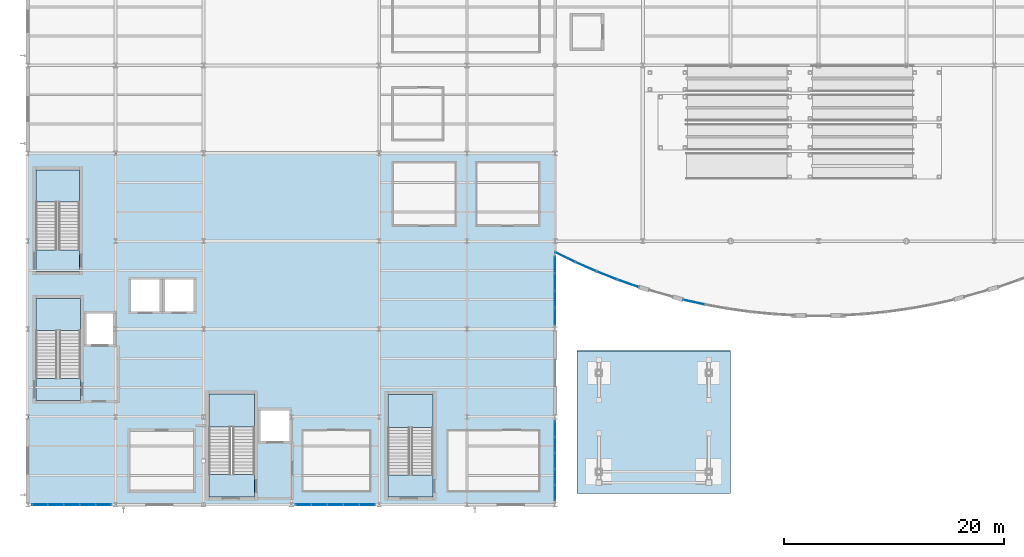
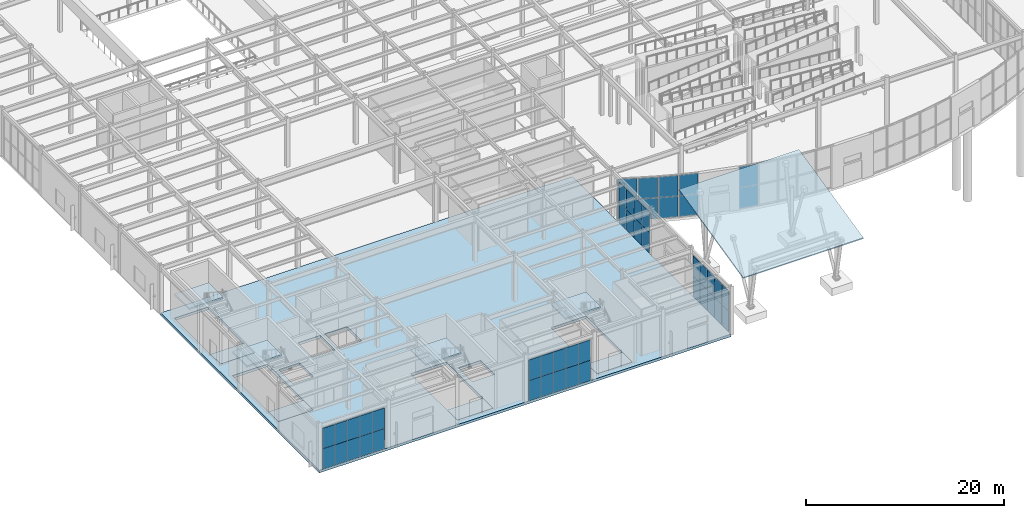
# One storey, part 49 of 82: 48 plates, 10 slabs, 13 elements without a shape of their own.
"""IFC4 building model written with IfcOpenShell, lengths in metres."""

import ifcopenshell
import ifcopenshell.guid

model = None  # the IFC model being written
_history = None  # IfcOwnerHistory: only IFC2X3 demands one
_inside = {}  # id of a spatial element -> (the spatial element, [elements in it])
_under = {}  # id of a project, library or spatial element -> (it, [spatial elements below it])
_declared = {}  # id of a project -> (the project, [libraries it declares])
_typed = {}  # id of a type object -> (the type object, [elements of that type])
_made_of = {}  # id of a material, layer set ... -> (it, [elements and type objects made of it])


def new_model(schema):
    """Start an empty IFC model of exactly this schema.

    Asked for "IFC4X3", IfcOpenShell would pick the latest addendum, in which some entities
    have other attributes; the version numbers below select the first issue.
    IFC2X3 requires an IfcOwnerHistory on every rooted entity: one is made here for all.
    """
    global model, _history
    if schema == "IFC4X3":
        model = ifcopenshell.file(schema_version=(4, 3, 0, 0))
    else:
        model = ifcopenshell.file(schema=schema)
    _inside.clear()
    _under.clear()
    _declared.clear()
    _typed.clear()
    _made_of.clear()
    _history = None
    if model.schema == "IFC2X3":
        org = make("IfcOrganization", Name="unknown")
        user = make(
            "IfcPersonAndOrganization",
            ThePerson=make("IfcPerson", FamilyName="unknown"),
            TheOrganization=org,
        )
        app = make(
            "IfcApplication",
            ApplicationDeveloper=org,
            Version="unknown",
            ApplicationFullName="unknown",
            ApplicationIdentifier="unknown",
        )
        _history = make(
            "IfcOwnerHistory",
            OwningUser=user,
            OwningApplication=app,
            ChangeAction="ADDED",
            CreationDate=0,
        )
    return model


def make(cls, **values):
    """One entity of the class cls with the attributes given. An attribute that is None is left unset."""
    return model.create_entity(
        cls, **{name: value for name, value in values.items() if value is not None}
    )


def rooted(cls, **values):
    """An entity with a GlobalId (a new one), such as an element, a storey or a relation."""
    return make(cls, GlobalId=ifcopenshell.guid.new(), OwnerHistory=_history, **values)


def si_unit(unit_type, name, prefix=None):
    """IfcSIUnit, for example si_unit("LENGTHUNIT", "METRE", prefix="MILLI")."""
    return make("IfcSIUnit", UnitType=unit_type, Prefix=prefix, Name=name)


def assignment(units):
    """IfcUnitAssignment: the units of a project."""
    return None if units is None else make("IfcUnitAssignment", Units=units)


def point(xyz):
    """IfcCartesianPoint."""
    return None if xyz is None else make("IfcCartesianPoint", Coordinates=xyz)


def direction(xyz):
    """IfcDirection."""
    return None if xyz is None else make("IfcDirection", DirectionRatios=xyz)


def frame(location, z_axis=None, x_axis=None):
    """IfcAxis2Placement3D, a coordinate frame: its origin and axes. An axis left out is left unset."""
    return make(
        "IfcAxis2Placement3D",
        Location=point(location),
        Axis=direction(z_axis),
        RefDirection=direction(x_axis),
    )


def frame_2d(location, x_axis=None):
    """IfcAxis2Placement2D, a coordinate frame in the plane: its origin and x axis."""
    return make(
        "IfcAxis2Placement2D", Location=point(location), RefDirection=direction(x_axis)
    )


def origin():
    """The frame at (0, 0, 0) with its axes left unset."""
    return frame((0.0, 0.0, 0.0))


def origin_2d():
    """The frame at (0, 0) in the plane with its x axis left unset."""
    return frame_2d((0.0, 0.0))


def place(relative_to, where):
    """IfcLocalPlacement: puts the frame where relative to a parent placement (None: the world)."""
    return make(
        "IfcLocalPlacement", PlacementRelTo=relative_to, RelativePlacement=where
    )


def context(
    kind, dimensions, precision=None, world=None, true_north=None, identifier=None
):
    """IfcGeometricRepresentationContext, for example the 3D "Model" context."""
    return make(
        "IfcGeometricRepresentationContext",
        ContextIdentifier=identifier,
        ContextType=kind,
        CoordinateSpaceDimension=dimensions,
        Precision=precision,
        WorldCoordinateSystem=world,
        TrueNorth=true_north,
    )


def subcontext(parent, identifier, kind, view, scale=None):
    """IfcGeometricRepresentationSubContext, for example "Body" below "Model"."""
    return make(
        "IfcGeometricRepresentationSubContext",
        ContextIdentifier=identifier,
        ContextType=kind,
        ParentContext=parent,
        TargetScale=scale,
        TargetView=view,
    )


def project(units=None, contexts=None):
    """IfcProject with its units and contexts."""
    return rooted(
        "IfcProject",
        Name="project",
        RepresentationContexts=contexts,
        UnitsInContext=assignment(units),
    )


def spatial(cls, under=None, at=None, **own):
    """A site, building, storey or space (cls), placed at a placement, below another one or the project."""
    s = rooted(cls, ObjectPlacement=at, **own)
    if under is not None:
        _under.setdefault(under.id(), (under, []))[1].append(s)
    return s


def polyline(points):
    """IfcPolyline through the points."""
    return make("IfcPolyline", Points=[point(p) for p in points])


def profile(cls, at=None, kind="AREA", **sizes):
    """A parametric profile (cls). Its sizes go by their IFC names, for example OverallWidth=200.0."""
    return make(cls, ProfileType=kind, Position=at, **sizes)


def rectangle(**sizes):
    """IfcRectangleProfileDef."""
    return profile("IfcRectangleProfileDef", **sizes)


def outline(outer, holes=None, kind="AREA"):
    """IfcArbitraryClosedProfileDef: a profile drawn as a closed curve; with holes, ...WithVoids."""
    if holes is None:
        return make("IfcArbitraryClosedProfileDef", ProfileType=kind, OuterCurve=outer)
    return make(
        "IfcArbitraryProfileDefWithVoids",
        ProfileType=kind,
        OuterCurve=outer,
        InnerCurves=holes,
    )


def extrude(swept, where, along, depth):
    """IfcExtrudedAreaSolid: the profile swept, set in the frame where, extruded along a direction by depth."""
    return make(
        "IfcExtrudedAreaSolid",
        SweptArea=swept,
        Position=where,
        ExtrudedDirection=direction(along),
        Depth=depth,
    )


def shape(context_of_items, identifier, shape_type, items):
    """IfcShapeRepresentation: the items that make up one representation, for example the "Body"."""
    return make(
        "IfcShapeRepresentation",
        ContextOfItems=context_of_items,
        RepresentationIdentifier=identifier,
        RepresentationType=shape_type,
        Items=items,
    )


def material(Name=None, Category=None):
    """IfcMaterial."""
    return make("IfcMaterial", Name=Name, Category=Category)


def layer(
    of_material, thickness, ventilated=None, Name=None, Category=None, Priority=None
):
    """IfcMaterialLayer: one layer of a wall or slab, of a material (None: an air gap)."""
    return make(
        "IfcMaterialLayer",
        Material=of_material,
        LayerThickness=thickness,
        IsVentilated=ventilated,
        Name=Name,
        Category=Category,
        Priority=Priority,
    )


def layer_set(layers, Name=None):
    """IfcMaterialLayerSet."""
    return make("IfcMaterialLayerSet", MaterialLayers=layers, LayerSetName=Name)


def made_of(thing, what):
    """Note that an element or type object is made of a material, layer set ...; save() writes the relation."""
    if what is not None:
        _made_of.setdefault(what.id(), (what, []))[1].append(thing)
    return thing


def type_object(cls, material=None, **own):
    """A type object (cls), such as IfcWallType, which elements share."""
    return made_of(rooted(cls, **own), material)


def element(
    cls,
    number,
    at=None,
    inside=None,
    cuts=None,
    type_object=None,
    material=None,
    context=None,
    identifier="Body",
    shape_type=None,
    held_by="IfcProductDefinitionShape",
    body=None,
    shapes=None,
    **own,
):
    """One element of the class cls, such as IfcWall. Its Tag is "e" and its number.

    at: its placement. inside: the storey or other place that contains it. cuts: it is an
    opening in that element (IfcRelVoidsElement). A single representation is given by context,
    identifier, shape_type and body (its items); several are given by shapes. held_by: the class
    of the entity that holds the representations. save() writes the other relations.
    """
    e = rooted(cls, Tag="e%d" % number, ObjectPlacement=at, **own)
    if body is not None:
        shapes = [shape(context, identifier, shape_type, body)]
    if shapes is not None:
        e.Representation = make(held_by, Representations=shapes)
    if inside is not None:
        _inside.setdefault(inside.id(), (inside, []))[1].append(e)
    if cuts is not None:
        rooted(
            "IfcRelVoidsElement", RelatingBuildingElement=cuts, RelatedOpeningElement=e
        )
    if type_object is not None:
        _typed.setdefault(type_object.id(), (type_object, []))[1].append(e)
    return made_of(e, material)


def aggregate(whole, parts):
    """IfcRelAggregates: a whole, such as a stair, and the parts it consists of."""
    return rooted("IfcRelAggregates", RelatingObject=whole, RelatedObjects=parts)


def save(model, path):
    """Write the relations noted so far, then the file.

    IfcRelAggregates (storeys below a building ...), IfcRelContainedInSpatialStructure (elements
    in a storey), IfcRelDefinesByType, IfcRelAssociatesMaterial and IfcRelDeclares: one each for
    every whole, place, type object, material and project.
    """
    for whole, parts in _under.values():
        aggregate(whole, parts)
    for where, things in _inside.values():
        rooted(
            "IfcRelContainedInSpatialStructure",
            RelatedElements=things,
            RelatingStructure=where,
        )
    for kind, things in _typed.values():
        rooted("IfcRelDefinesByType", RelatedObjects=things, RelatingType=kind)
    for what, things in _made_of.values():
        rooted("IfcRelAssociatesMaterial", RelatedObjects=things, RelatingMaterial=what)
    for by, libraries in _declared.values():
        rooted("IfcRelDeclares", RelatingContext=by, RelatedDefinitions=libraries)
    model.write(path)


model = new_model("IFC4")

# Units and contexts
model_context = context("Model", 3, precision=1e-05, world=origin(), true_north=direction((0.0, 1.0)))
body_context = subcontext(model_context, "Body", "Model", "MODEL_VIEW")
ifc_project = project(units=[si_unit("LENGTHUNIT", "METRE"), si_unit("AREAUNIT", "SQUARE_METRE"), si_unit("VOLUMEUNIT", "CUBIC_METRE"), si_unit("PLANEANGLEUNIT", "RADIAN"), si_unit("MASSUNIT", "GRAM", prefix="KILO")], contexts=[model_context])

# Site, building, storey
site_placement = place(None, origin())
site = spatial("IfcSite", under=ifc_project, at=site_placement, CompositionType="ELEMENT")
building_placement = place(site_placement, origin())
building = spatial("IfcBuilding", under=site, at=building_placement, Name="Drelvath Fold Interchange", CompositionType="ELEMENT")
storey_placement = place(building_placement, origin())
storey = spatial("IfcBuildingStorey", under=building, at=storey_placement, Name="L00", CompositionType="ELEMENT", Elevation=0.0)

# Curtain wall, plates
ifc_material_1 = material(Name="Anodized Aluminium 6063-T6", Category="aluminium")
curtain_wall_type_1 = type_object("IfcCurtainWallType", Name="CW-ARC-L00", PredefinedType="USERDEFINED", material=ifc_material_1)
curtain_wall_1_placement = place(storey_placement, origin())
curtain_wall_1 = element("IfcCurtainWall", 1, at=curtain_wall_1_placement, inside=storey, type_object=curtain_wall_type_1, Name="Curtain wall CW-WH-L00-00", ObjectType="UNITISED CURTAIN WALL", PredefinedType="USERDEFINED")
ifc_material_2 = material(Name="Low-Iron Insulated Laminated Glass", Category="glass")
ifc_layer_1 = layer(ifc_material_2, 0.035888671875, Name="Low-Iron Insulated Laminated Glass")
ifc_layer_set_1 = layer_set([ifc_layer_1], Name="Low-Iron Insulated Laminated Glass")
plate_type_1 = type_object("IfcPlateType", Name="CP-ARC-A", PredefinedType="CURTAIN_PANEL", material=ifc_layer_set_1)
plate_1_placement = place(storey_placement, frame((52.93310546875, 25.5439453125, 0.0400390625), z_axis=(0.0, 0.0, 1.0), x_axis=(0.898242463355, -0.439500258277, 0.0)))
plate_1 = element("IfcPlate", 2, at=plate_1_placement, type_object=plate_type_1, Name="CW-WH-L00-00 glazed panel 0-0", PredefinedType="CURTAIN_PANEL", context=body_context, shape_type="SweptSolid", body=[
    extrude(rectangle(XDim=1.97705078125, YDim=0.035888671875, at=origin_2d()), origin(), (0.0, 0.0, 1.0), 2.550048828125),
])
plate_2_placement = place(storey_placement, frame((52.93310546875, 25.5439453125, 2.60986328125), z_axis=(0.0, 0.0, 1.0), x_axis=(0.898242463355, -0.439500258277, 0.0)))
plate_2 = element("IfcPlate", 3, at=plate_2_placement, type_object=plate_type_1, Name="CW-WH-L00-00 glazed panel 0-1", PredefinedType="CURTAIN_PANEL", context=body_context, shape_type="SweptSolid", body=[
    extrude(rectangle(XDim=1.97705078125, YDim=0.035888671875, at=origin_2d()), origin(), (0.0, 0.0, 1.0), 2.550048828125),
])
aggregate(curtain_wall_1, [plate_1, plate_2])

curtain_wall_2_placement = place(storey_placement, origin())
curtain_wall_2 = element("IfcCurtainWall", 4, at=curtain_wall_2_placement, inside=storey, type_object=curtain_wall_type_1, Name="Curtain wall CW-WH-L00-01", ObjectType="UNITISED CURTAIN WALL", PredefinedType="USERDEFINED")
plate_3_placement = place(storey_placement, frame((54.81591796875, 24.66796875, 0.0400390625), z_axis=(0.0, 0.0, 1.0), x_axis=(0.91495966785, -0.403545296352, 0.0)))
plate_3 = element("IfcPlate", 5, at=plate_3_placement, type_object=plate_type_1, Name="CW-WH-L00-01 glazed panel 0-0", PredefinedType="CURTAIN_PANEL", context=body_context, shape_type="SweptSolid", body=[
    extrude(rectangle(XDim=1.97705078125, YDim=0.035888671875, at=origin_2d()), origin(), (0.0, 0.0, 1.0), 2.550048828125),
])
plate_4_placement = place(storey_placement, frame((54.81591796875, 24.66796875, 2.60986328125), z_axis=(0.0, 0.0, 1.0), x_axis=(0.91495966785, -0.403545296352, 0.0)))
plate_4 = element("IfcPlate", 6, at=plate_4_placement, type_object=plate_type_1, Name="CW-WH-L00-01 glazed panel 0-1", PredefinedType="CURTAIN_PANEL", context=body_context, shape_type="SweptSolid", body=[
    extrude(rectangle(XDim=1.97705078125, YDim=0.035888671875, at=origin_2d()), origin(), (0.0, 0.0, 1.0), 2.550048828125),
])
aggregate(curtain_wall_2, [plate_3, plate_4])

curtain_wall_3_placement = place(storey_placement, origin())
curtain_wall_3 = element("IfcCurtainWall", 7, at=curtain_wall_3_placement, inside=storey, type_object=curtain_wall_type_1, Name="Curtain wall CW-WH-L00-02", ObjectType="UNITISED CURTAIN WALL", PredefinedType="USERDEFINED")
plate_5_placement = place(storey_placement, frame((56.73193359375, 23.866943359375, 0.0400390625), z_axis=(0.0, 0.0, 1.0), x_axis=(0.93009738109, -0.367313029567, 0.0)))
plate_5 = element("IfcPlate", 8, at=plate_5_placement, type_object=plate_type_1, Name="CW-WH-L00-02 glazed panel 0-0", PredefinedType="CURTAIN_PANEL", context=body_context, shape_type="SweptSolid", body=[
    extrude(rectangle(XDim=1.97705078125, YDim=0.035888671875, at=origin_2d()), origin(), (0.0, 0.0, 1.0), 2.550048828125),
])
plate_6_placement = place(storey_placement, frame((56.73193359375, 23.866943359375, 2.60986328125), z_axis=(0.0, 0.0, 1.0), x_axis=(0.93009738109, -0.367313029567, 0.0)))
plate_6 = element("IfcPlate", 9, at=plate_6_placement, type_object=plate_type_1, Name="CW-WH-L00-02 glazed panel 0-1", PredefinedType="CURTAIN_PANEL", context=body_context, shape_type="SweptSolid", body=[
    extrude(rectangle(XDim=1.97705078125, YDim=0.035888671875, at=origin_2d()), origin(), (0.0, 0.0, 1.0), 2.550048828125),
])
aggregate(curtain_wall_3, [plate_5, plate_6])

curtain_wall_4_placement = place(storey_placement, origin())
curtain_wall_4 = element("IfcCurtainWall", 10, at=curtain_wall_4_placement, inside=storey, type_object=curtain_wall_type_1, Name="Curtain wall CW-WH-L00-03", ObjectType="UNITISED CURTAIN WALL", PredefinedType="USERDEFINED")
plate_7_placement = place(storey_placement, frame((58.677978515625, 23.14306640625, 0.0400390625), z_axis=(0.0, 0.0, 1.0), x_axis=(0.944060245862, -0.329773031317, 0.0)))
plate_7 = element("IfcPlate", 11, at=plate_7_placement, type_object=plate_type_1, Name="CW-WH-L00-03 glazed panel 0-0", PredefinedType="CURTAIN_PANEL", context=body_context, shape_type="SweptSolid", body=[
    extrude(rectangle(XDim=1.97705078125, YDim=0.035888671875, at=origin_2d()), origin(), (0.0, 0.0, 1.0), 2.550048828125),
])
plate_8_placement = place(storey_placement, frame((58.677978515625, 23.14306640625, 2.60986328125), z_axis=(0.0, 0.0, 1.0), x_axis=(0.944060245862, -0.329773031317, 0.0)))
plate_8 = element("IfcPlate", 12, at=plate_8_placement, type_object=plate_type_1, Name="CW-WH-L00-03 glazed panel 0-1", PredefinedType="CURTAIN_PANEL", context=body_context, shape_type="SweptSolid", body=[
    extrude(rectangle(XDim=1.97705078125, YDim=0.035888671875, at=origin_2d()), origin(), (0.0, 0.0, 1.0), 2.550048828125),
])
aggregate(curtain_wall_4, [plate_7, plate_8])

curtain_wall_5_placement = place(storey_placement, origin())
curtain_wall_5 = element("IfcCurtainWall", 13, at=curtain_wall_5_placement, inside=storey, type_object=curtain_wall_type_1, Name="Curtain wall CW-WH-L00-06", ObjectType="UNITISED CURTAIN WALL", PredefinedType="USERDEFINED")
plate_9_placement = place(storey_placement, frame((64.66796875, 21.44091796875, 0.0400390625), z_axis=(0.0, 0.0, 1.0), x_axis=(0.976458168269, -0.215706851122, 0.0)))
plate_9 = element("IfcPlate", 14, at=plate_9_placement, type_object=plate_type_1, Name="CW-WH-L00-06 glazed panel 0-0", PredefinedType="CURTAIN_PANEL", context=body_context, shape_type="SweptSolid", body=[
    extrude(rectangle(XDim=1.97705078125, YDim=0.035888671875, at=origin_2d()), origin(), (0.0, 0.0, 1.0), 2.550048828125),
])
plate_10_placement = place(storey_placement, frame((64.66796875, 21.44091796875, 2.60986328125), z_axis=(0.0, 0.0, 1.0), x_axis=(0.976458168269, -0.215706851122, 0.0)))
plate_10 = element("IfcPlate", 15, at=plate_10_placement, type_object=plate_type_1, Name="CW-WH-L00-06 glazed panel 0-1", PredefinedType="CURTAIN_PANEL", context=body_context, shape_type="SweptSolid", body=[
    extrude(rectangle(XDim=1.97705078125, YDim=0.035888671875, at=origin_2d()), origin(), (0.0, 0.0, 1.0), 2.550048828125),
])
aggregate(curtain_wall_5, [plate_9, plate_10])

curtain_wall_type_2 = type_object("IfcCurtainWallType", Name="CW-OPS-L00", PredefinedType="USERDEFINED", material=ifc_material_1)
curtain_wall_6_placement = place(storey_placement, origin())
curtain_wall_6 = element("IfcCurtainWall", 16, at=curtain_wall_6_placement, inside=storey, type_object=curtain_wall_type_2, Name="Curtain wall CW-V5-L00-S4", ObjectType="UNITISED CURTAIN WALL", PredefinedType="USERDEFINED")
ifc_layer_2 = layer(ifc_material_2, 0.068115234375, Name="Low-Iron Insulated Laminated Glass")
ifc_layer_set_2 = layer_set([ifc_layer_2], Name="Low-Iron Insulated Laminated Glass")
plate_type_2 = type_object("IfcPlateType", Name="CP-OPS-A", PredefinedType="CURTAIN_PANEL", material=ifc_layer_set_2)
plate_11_placement = place(storey_placement, frame((5.10791015625, 3.0, 0.0400390625), z_axis=(0.0, 0.0, 1.0), x_axis=(1.0, 0.0, 0.0)))
plate_11 = element("IfcPlate", 17, at=plate_11_placement, type_object=plate_type_2, Name="CW-V5-L00-S4 glazed panel 0-0", PredefinedType="CURTAIN_PANEL", context=body_context, shape_type="SweptSolid", body=[
    extrude(rectangle(XDim=1.39599609375, YDim=0.068115234375, at=origin_2d()), origin(), (0.0, 0.0, 1.0), 2.5),
])
plate_12_placement = place(storey_placement, frame((5.10791015625, 3.0, 2.56005859375), z_axis=(0.0, 0.0, 1.0), x_axis=(1.0, 0.0, 0.0)))
plate_12 = element("IfcPlate", 18, at=plate_12_placement, type_object=plate_type_2, Name="CW-V5-L00-S4 glazed panel 0-1", PredefinedType="CURTAIN_PANEL", context=body_context, shape_type="SweptSolid", body=[
    extrude(rectangle(XDim=1.39599609375, YDim=0.068115234375, at=origin_2d()), origin(), (0.0, 0.0, 1.0), 2.5),
])
plate_13_placement = place(storey_placement, frame((6.5439453125, 3.0, 0.0400390625), z_axis=(0.0, 0.0, 1.0), x_axis=(1.0, 0.0, 0.0)))
plate_13 = element("IfcPlate", 19, at=plate_13_placement, type_object=plate_type_2, Name="CW-V5-L00-S4 glazed panel 1-0", PredefinedType="CURTAIN_PANEL", context=body_context, shape_type="SweptSolid", body=[
    extrude(rectangle(XDim=1.43603515625, YDim=0.068115234375, at=origin_2d()), origin(), (0.0, 0.0, 1.0), 2.5),
])
plate_14_placement = place(storey_placement, frame((6.5439453125, 3.0, 2.56005859375), z_axis=(0.0, 0.0, 1.0), x_axis=(1.0, 0.0, 0.0)))
plate_14 = element("IfcPlate", 20, at=plate_14_placement, type_object=plate_type_2, Name="CW-V5-L00-S4 glazed panel 1-1", PredefinedType="CURTAIN_PANEL", context=body_context, shape_type="SweptSolid", body=[
    extrude(rectangle(XDim=1.43603515625, YDim=0.068115234375, at=origin_2d()), origin(), (0.0, 0.0, 1.0), 2.5),
])
plate_15_placement = place(storey_placement, frame((8.0, 3.0, 0.0400390625), z_axis=(0.0, 0.0, 1.0), x_axis=(1.0, 0.0, 0.0)))
plate_15 = element("IfcPlate", 21, at=plate_15_placement, type_object=plate_type_2, Name="CW-V5-L00-S4 glazed panel 2-0", PredefinedType="CURTAIN_PANEL", context=body_context, shape_type="SweptSolid", body=[
    extrude(rectangle(XDim=1.43603515625, YDim=0.068115234375, at=origin_2d()), origin(), (0.0, 0.0, 1.0), 2.5),
])
plate_16_placement = place(storey_placement, frame((8.0, 3.0, 2.56005859375), z_axis=(0.0, 0.0, 1.0), x_axis=(1.0, 0.0, 0.0)))
plate_16 = element("IfcPlate", 22, at=plate_16_placement, type_object=plate_type_2, Name="CW-V5-L00-S4 glazed panel 2-1", PredefinedType="CURTAIN_PANEL", context=body_context, shape_type="SweptSolid", body=[
    extrude(rectangle(XDim=1.43603515625, YDim=0.068115234375, at=origin_2d()), origin(), (0.0, 0.0, 1.0), 2.5),
])
plate_17_placement = place(storey_placement, frame((9.4560546875, 3.0, 0.0400390625), z_axis=(0.0, 0.0, 1.0), x_axis=(1.0, 0.0, 0.0)))
plate_17 = element("IfcPlate", 23, at=plate_17_placement, type_object=plate_type_2, Name="CW-V5-L00-S4 glazed panel 3-0", PredefinedType="CURTAIN_PANEL", context=body_context, shape_type="SweptSolid", body=[
    extrude(rectangle(XDim=1.43603515625, YDim=0.068115234375, at=origin_2d()), origin(), (0.0, 0.0, 1.0), 2.5),
])
plate_18_placement = place(storey_placement, frame((9.4560546875, 3.0, 2.56005859375), z_axis=(0.0, 0.0, 1.0), x_axis=(1.0, 0.0, 0.0)))
plate_18 = element("IfcPlate", 24, at=plate_18_placement, type_object=plate_type_2, Name="CW-V5-L00-S4 glazed panel 3-1", PredefinedType="CURTAIN_PANEL", context=body_context, shape_type="SweptSolid", body=[
    extrude(rectangle(XDim=1.43603515625, YDim=0.068115234375, at=origin_2d()), origin(), (0.0, 0.0, 1.0), 2.5),
])
plate_19_placement = place(storey_placement, frame((10.89208984375, 3.0, 0.0400390625), z_axis=(0.0, 0.0, 1.0), x_axis=(1.0, 0.0, 0.0)))
plate_19 = element("IfcPlate", 25, at=plate_19_placement, type_object=plate_type_2, Name="CW-V5-L00-S4 glazed panel 4-0", PredefinedType="CURTAIN_PANEL", context=body_context, shape_type="SweptSolid", body=[
    extrude(rectangle(XDim=1.39599609375, YDim=0.068115234375, at=origin_2d()), origin(), (0.0, 0.0, 1.0), 2.5),
])
plate_20_placement = place(storey_placement, frame((10.89208984375, 3.0, 2.56005859375), z_axis=(0.0, 0.0, 1.0), x_axis=(1.0, 0.0, 0.0)))
plate_20 = element("IfcPlate", 26, at=plate_20_placement, type_object=plate_type_2, Name="CW-V5-L00-S4 glazed panel 4-1", PredefinedType="CURTAIN_PANEL", context=body_context, shape_type="SweptSolid", body=[
    extrude(rectangle(XDim=1.39599609375, YDim=0.068115234375, at=origin_2d()), origin(), (0.0, 0.0, 1.0), 2.5),
])
aggregate(curtain_wall_6, [plate_11, plate_12, plate_13, plate_14, plate_15, plate_16, plate_17, plate_18, plate_19, plate_20])

curtain_wall_7_placement = place(storey_placement, origin())
curtain_wall_7 = element("IfcCurtainWall", 27, at=curtain_wall_7_placement, inside=storey, type_object=curtain_wall_type_2, Name="Curtain wall CW-V5-L00-S28", ObjectType="UNITISED CURTAIN WALL", PredefinedType="USERDEFINED")
plate_21_placement = place(storey_placement, frame((29.10791015625, 3.0, 0.0400390625), z_axis=(0.0, 0.0, 1.0), x_axis=(1.0, 0.0, 0.0)))
plate_21 = element("IfcPlate", 28, at=plate_21_placement, type_object=plate_type_2, Name="CW-V5-L00-S28 glazed panel 0-0", PredefinedType="CURTAIN_PANEL", context=body_context, shape_type="SweptSolid", body=[
    extrude(rectangle(XDim=1.39599609375, YDim=0.068115234375, at=origin_2d()), origin(), (0.0, 0.0, 1.0), 2.5),
])
plate_22_placement = place(storey_placement, frame((29.10791015625, 3.0, 2.56005859375), z_axis=(0.0, 0.0, 1.0), x_axis=(1.0, 0.0, 0.0)))
plate_22 = element("IfcPlate", 29, at=plate_22_placement, type_object=plate_type_2, Name="CW-V5-L00-S28 glazed panel 0-1", PredefinedType="CURTAIN_PANEL", context=body_context, shape_type="SweptSolid", body=[
    extrude(rectangle(XDim=1.39599609375, YDim=0.068115234375, at=origin_2d()), origin(), (0.0, 0.0, 1.0), 2.5),
])
plate_23_placement = place(storey_placement, frame((30.5439453125, 3.0, 0.0400390625), z_axis=(0.0, 0.0, 1.0), x_axis=(1.0, 0.0, 0.0)))
plate_23 = element("IfcPlate", 30, at=plate_23_placement, type_object=plate_type_2, Name="CW-V5-L00-S28 glazed panel 1-0", PredefinedType="CURTAIN_PANEL", context=body_context, shape_type="SweptSolid", body=[
    extrude(rectangle(XDim=1.43603515625, YDim=0.068115234375, at=origin_2d()), origin(), (0.0, 0.0, 1.0), 2.5),
])
plate_24_placement = place(storey_placement, frame((30.5439453125, 3.0, 2.56005859375), z_axis=(0.0, 0.0, 1.0), x_axis=(1.0, 0.0, 0.0)))
plate_24 = element("IfcPlate", 31, at=plate_24_placement, type_object=plate_type_2, Name="CW-V5-L00-S28 glazed panel 1-1", PredefinedType="CURTAIN_PANEL", context=body_context, shape_type="SweptSolid", body=[
    extrude(rectangle(XDim=1.43603515625, YDim=0.068115234375, at=origin_2d()), origin(), (0.0, 0.0, 1.0), 2.5),
])
plate_25_placement = place(storey_placement, frame((32.0, 3.0, 0.0400390625), z_axis=(0.0, 0.0, 1.0), x_axis=(1.0, 0.0, 0.0)))
plate_25 = element("IfcPlate", 32, at=plate_25_placement, type_object=plate_type_2, Name="CW-V5-L00-S28 glazed panel 2-0", PredefinedType="CURTAIN_PANEL", context=body_context, shape_type="SweptSolid", body=[
    extrude(rectangle(XDim=1.43603515625, YDim=0.068115234375, at=origin_2d()), origin(), (0.0, 0.0, 1.0), 2.5),
])
plate_26_placement = place(storey_placement, frame((32.0, 3.0, 2.56005859375), z_axis=(0.0, 0.0, 1.0), x_axis=(1.0, 0.0, 0.0)))
plate_26 = element("IfcPlate", 33, at=plate_26_placement, type_object=plate_type_2, Name="CW-V5-L00-S28 glazed panel 2-1", PredefinedType="CURTAIN_PANEL", context=body_context, shape_type="SweptSolid", body=[
    extrude(rectangle(XDim=1.43603515625, YDim=0.068115234375, at=origin_2d()), origin(), (0.0, 0.0, 1.0), 2.5),
])
plate_27_placement = place(storey_placement, frame((33.4560546875, 3.0, 0.0400390625), z_axis=(0.0, 0.0, 1.0), x_axis=(1.0, 0.0, 0.0)))
plate_27 = element("IfcPlate", 34, at=plate_27_placement, type_object=plate_type_2, Name="CW-V5-L00-S28 glazed panel 3-0", PredefinedType="CURTAIN_PANEL", context=body_context, shape_type="SweptSolid", body=[
    extrude(rectangle(XDim=1.43603515625, YDim=0.068115234375, at=origin_2d()), origin(), (0.0, 0.0, 1.0), 2.5),
])
plate_28_placement = place(storey_placement, frame((33.4560546875, 3.0, 2.56005859375), z_axis=(0.0, 0.0, 1.0), x_axis=(1.0, 0.0, 0.0)))
plate_28 = element("IfcPlate", 35, at=plate_28_placement, type_object=plate_type_2, Name="CW-V5-L00-S28 glazed panel 3-1", PredefinedType="CURTAIN_PANEL", context=body_context, shape_type="SweptSolid", body=[
    extrude(rectangle(XDim=1.43603515625, YDim=0.068115234375, at=origin_2d()), origin(), (0.0, 0.0, 1.0), 2.5),
])
plate_29_placement = place(storey_placement, frame((34.89208984375, 3.0, 0.0400390625), z_axis=(0.0, 0.0, 1.0), x_axis=(1.0, 0.0, 0.0)))
plate_29 = element("IfcPlate", 36, at=plate_29_placement, type_object=plate_type_2, Name="CW-V5-L00-S28 glazed panel 4-0", PredefinedType="CURTAIN_PANEL", context=body_context, shape_type="SweptSolid", body=[
    extrude(rectangle(XDim=1.39599609375, YDim=0.068115234375, at=origin_2d()), origin(), (0.0, 0.0, 1.0), 2.5),
])
plate_30_placement = place(storey_placement, frame((34.89208984375, 3.0, 2.56005859375), z_axis=(0.0, 0.0, 1.0), x_axis=(1.0, 0.0, 0.0)))
plate_30 = element("IfcPlate", 37, at=plate_30_placement, type_object=plate_type_2, Name="CW-V5-L00-S28 glazed panel 4-1", PredefinedType="CURTAIN_PANEL", context=body_context, shape_type="SweptSolid", body=[
    extrude(rectangle(XDim=1.39599609375, YDim=0.068115234375, at=origin_2d()), origin(), (0.0, 0.0, 1.0), 2.5),
])
aggregate(curtain_wall_7, [plate_21, plate_22, plate_23, plate_24, plate_25, plate_26, plate_27, plate_28, plate_29, plate_30])

curtain_wall_8_placement = place(storey_placement, origin())
curtain_wall_8 = element("IfcCurtainWall", 38, at=curtain_wall_8_placement, inside=storey, type_object=curtain_wall_type_2, Name="Curtain wall CW-V5-L00-E3", ObjectType="UNITISED CURTAIN WALL", PredefinedType="USERDEFINED")
plate_31_placement = place(storey_placement, frame((52.0, 4.10791015625, 0.0400390625), z_axis=(0.0, 0.0, 1.0), x_axis=(0.0, 1.0, 0.0)))
plate_31 = element("IfcPlate", 39, at=plate_31_placement, type_object=plate_type_2, Name="CW-V5-L00-E3 glazed panel 0-0", PredefinedType="CURTAIN_PANEL", context=body_context, shape_type="SweptSolid", body=[
    extrude(rectangle(XDim=1.39599609375, YDim=0.068115234375, at=origin_2d()), origin(), (0.0, 0.0, 1.0), 2.5),
])
plate_32_placement = place(storey_placement, frame((52.0, 4.10791015625, 2.56005859375), z_axis=(0.0, 0.0, 1.0), x_axis=(0.0, 1.0, 0.0)))
plate_32 = element("IfcPlate", 40, at=plate_32_placement, type_object=plate_type_2, Name="CW-V5-L00-E3 glazed panel 0-1", PredefinedType="CURTAIN_PANEL", context=body_context, shape_type="SweptSolid", body=[
    extrude(rectangle(XDim=1.39599609375, YDim=0.068115234375, at=origin_2d()), origin(), (0.0, 0.0, 1.0), 2.5),
])
plate_33_placement = place(storey_placement, frame((52.0, 5.5439453125, 0.0400390625), z_axis=(0.0, 0.0, 1.0), x_axis=(0.0, 1.0, 0.0)))
plate_33 = element("IfcPlate", 41, at=plate_33_placement, type_object=plate_type_2, Name="CW-V5-L00-E3 glazed panel 1-0", PredefinedType="CURTAIN_PANEL", context=body_context, shape_type="SweptSolid", body=[
    extrude(rectangle(XDim=1.43603515625, YDim=0.068115234375, at=origin_2d()), origin(), (0.0, 0.0, 1.0), 2.5),
])
plate_34_placement = place(storey_placement, frame((52.0, 5.5439453125, 2.56005859375), z_axis=(0.0, 0.0, 1.0), x_axis=(0.0, 1.0, 0.0)))
plate_34 = element("IfcPlate", 42, at=plate_34_placement, type_object=plate_type_2, Name="CW-V5-L00-E3 glazed panel 1-1", PredefinedType="CURTAIN_PANEL", context=body_context, shape_type="SweptSolid", body=[
    extrude(rectangle(XDim=1.43603515625, YDim=0.068115234375, at=origin_2d()), origin(), (0.0, 0.0, 1.0), 2.5),
])
plate_35_placement = place(storey_placement, frame((52.0, 7.0, 0.0400390625), z_axis=(0.0, 0.0, 1.0), x_axis=(0.0, 1.0, 0.0)))
plate_35 = element("IfcPlate", 43, at=plate_35_placement, type_object=plate_type_2, Name="CW-V5-L00-E3 glazed panel 2-0", PredefinedType="CURTAIN_PANEL", context=body_context, shape_type="SweptSolid", body=[
    extrude(rectangle(XDim=1.43603515625, YDim=0.068115234375, at=origin_2d()), origin(), (0.0, 0.0, 1.0), 2.5),
])
plate_36_placement = place(storey_placement, frame((52.0, 7.0, 2.56005859375), z_axis=(0.0, 0.0, 1.0), x_axis=(0.0, 1.0, 0.0)))
plate_36 = element("IfcPlate", 44, at=plate_36_placement, type_object=plate_type_2, Name="CW-V5-L00-E3 glazed panel 2-1", PredefinedType="CURTAIN_PANEL", context=body_context, shape_type="SweptSolid", body=[
    extrude(rectangle(XDim=1.43603515625, YDim=0.068115234375, at=origin_2d()), origin(), (0.0, 0.0, 1.0), 2.5),
])
plate_37_placement = place(storey_placement, frame((52.0, 8.4560546875, 0.0400390625), z_axis=(0.0, 0.0, 1.0), x_axis=(0.0, 1.0, 0.0)))
plate_37 = element("IfcPlate", 45, at=plate_37_placement, type_object=plate_type_2, Name="CW-V5-L00-E3 glazed panel 3-0", PredefinedType="CURTAIN_PANEL", context=body_context, shape_type="SweptSolid", body=[
    extrude(rectangle(XDim=1.43603515625, YDim=0.068115234375, at=origin_2d()), origin(), (0.0, 0.0, 1.0), 2.5),
])
plate_38_placement = place(storey_placement, frame((52.0, 8.4560546875, 2.56005859375), z_axis=(0.0, 0.0, 1.0), x_axis=(0.0, 1.0, 0.0)))
plate_38 = element("IfcPlate", 46, at=plate_38_placement, type_object=plate_type_2, Name="CW-V5-L00-E3 glazed panel 3-1", PredefinedType="CURTAIN_PANEL", context=body_context, shape_type="SweptSolid", body=[
    extrude(rectangle(XDim=1.43603515625, YDim=0.068115234375, at=origin_2d()), origin(), (0.0, 0.0, 1.0), 2.5),
])
plate_39_placement = place(storey_placement, frame((52.0, 9.89208984375, 0.0400390625), z_axis=(0.0, 0.0, 1.0), x_axis=(0.0, 1.0, 0.0)))
plate_39 = element("IfcPlate", 47, at=plate_39_placement, type_object=plate_type_2, Name="CW-V5-L00-E3 glazed panel 4-0", PredefinedType="CURTAIN_PANEL", context=body_context, shape_type="SweptSolid", body=[
    extrude(rectangle(XDim=1.39599609375, YDim=0.068115234375, at=origin_2d()), origin(), (0.0, 0.0, 1.0), 2.5),
])
plate_40_placement = place(storey_placement, frame((52.0, 9.89208984375, 2.56005859375), z_axis=(0.0, 0.0, 1.0), x_axis=(0.0, 1.0, 0.0)))
plate_40 = element("IfcPlate", 48, at=plate_40_placement, type_object=plate_type_2, Name="CW-V5-L00-E3 glazed panel 4-1", PredefinedType="CURTAIN_PANEL", context=body_context, shape_type="SweptSolid", body=[
    extrude(rectangle(XDim=1.39599609375, YDim=0.068115234375, at=origin_2d()), origin(), (0.0, 0.0, 1.0), 2.5),
])
aggregate(curtain_wall_8, [plate_31, plate_32, plate_33, plate_34, plate_35, plate_36, plate_37, plate_38, plate_39, plate_40])

curtain_wall_9_placement = place(storey_placement, origin())
curtain_wall_9 = element("IfcCurtainWall", 49, at=curtain_wall_9_placement, inside=storey, type_object=curtain_wall_type_2, Name="Curtain wall CW-V5-L00-E19", ObjectType="UNITISED CURTAIN WALL", PredefinedType="USERDEFINED")
plate_41_placement = place(storey_placement, frame((52.0, 20.1650390625, 0.0400390625), z_axis=(0.0, 0.0, 1.0), x_axis=(0.0, 1.0, 0.0)))
plate_41 = element("IfcPlate", 50, at=plate_41_placement, type_object=plate_type_2, Name="CW-V5-L00-E19 glazed panel 0-0", PredefinedType="CURTAIN_PANEL", context=body_context, shape_type="SweptSolid", body=[
    extrude(rectangle(XDim=1.510009765625, YDim=0.068115234375, at=origin_2d()), origin(), (0.0, 0.0, 1.0), 2.5),
])
plate_42_placement = place(storey_placement, frame((52.0, 20.1650390625, 2.56005859375), z_axis=(0.0, 0.0, 1.0), x_axis=(0.0, 1.0, 0.0)))
plate_42 = element("IfcPlate", 51, at=plate_42_placement, type_object=plate_type_2, Name="CW-V5-L00-E19 glazed panel 0-1", PredefinedType="CURTAIN_PANEL", context=body_context, shape_type="SweptSolid", body=[
    extrude(rectangle(XDim=1.510009765625, YDim=0.068115234375, at=origin_2d()), origin(), (0.0, 0.0, 1.0), 2.5),
])
plate_43_placement = place(storey_placement, frame((52.0, 21.715087890625, 0.0400390625), z_axis=(0.0, 0.0, 1.0), x_axis=(0.0, 1.0, 0.0)))
plate_43 = element("IfcPlate", 52, at=plate_43_placement, type_object=plate_type_2, Name="CW-V5-L00-E19 glazed panel 1-0", PredefinedType="CURTAIN_PANEL", context=body_context, shape_type="SweptSolid", body=[
    extrude(rectangle(XDim=1.550048828125, YDim=0.068115234375, at=origin_2d()), origin(), (0.0, 0.0, 1.0), 2.5),
])
plate_44_placement = place(storey_placement, frame((52.0, 21.715087890625, 2.56005859375), z_axis=(0.0, 0.0, 1.0), x_axis=(0.0, 1.0, 0.0)))
plate_44 = element("IfcPlate", 53, at=plate_44_placement, type_object=plate_type_2, Name="CW-V5-L00-E19 glazed panel 1-1", PredefinedType="CURTAIN_PANEL", context=body_context, shape_type="SweptSolid", body=[
    extrude(rectangle(XDim=1.550048828125, YDim=0.068115234375, at=origin_2d()), origin(), (0.0, 0.0, 1.0), 2.5),
])
plate_45_placement = place(storey_placement, frame((52.0, 23.284912109375, 0.0400390625), z_axis=(0.0, 0.0, 1.0), x_axis=(0.0, 1.0, 0.0)))
plate_45 = element("IfcPlate", 54, at=plate_45_placement, type_object=plate_type_2, Name="CW-V5-L00-E19 glazed panel 2-0", PredefinedType="CURTAIN_PANEL", context=body_context, shape_type="SweptSolid", body=[
    extrude(rectangle(XDim=1.550048828125, YDim=0.068115234375, at=origin_2d()), origin(), (0.0, 0.0, 1.0), 2.5),
])
plate_46_placement = place(storey_placement, frame((52.0, 23.284912109375, 2.56005859375), z_axis=(0.0, 0.0, 1.0), x_axis=(0.0, 1.0, 0.0)))
plate_46 = element("IfcPlate", 55, at=plate_46_placement, type_object=plate_type_2, Name="CW-V5-L00-E19 glazed panel 2-1", PredefinedType="CURTAIN_PANEL", context=body_context, shape_type="SweptSolid", body=[
    extrude(rectangle(XDim=1.550048828125, YDim=0.068115234375, at=origin_2d()), origin(), (0.0, 0.0, 1.0), 2.5),
])
plate_47_placement = place(storey_placement, frame((52.0, 24.8349609375, 0.0400390625), z_axis=(0.0, 0.0, 1.0), x_axis=(0.0, 1.0, 0.0)))
plate_47 = element("IfcPlate", 56, at=plate_47_placement, type_object=plate_type_2, Name="CW-V5-L00-E19 glazed panel 3-0", PredefinedType="CURTAIN_PANEL", context=body_context, shape_type="SweptSolid", body=[
    extrude(rectangle(XDim=1.510009765625, YDim=0.068115234375, at=origin_2d()), origin(), (0.0, 0.0, 1.0), 2.5),
])
plate_48_placement = place(storey_placement, frame((52.0, 24.8349609375, 2.56005859375), z_axis=(0.0, 0.0, 1.0), x_axis=(0.0, 1.0, 0.0)))
plate_48 = element("IfcPlate", 57, at=plate_48_placement, type_object=plate_type_2, Name="CW-V5-L00-E19 glazed panel 3-1", PredefinedType="CURTAIN_PANEL", context=body_context, shape_type="SweptSolid", body=[
    extrude(rectangle(XDim=1.510009765625, YDim=0.068115234375, at=origin_2d()), origin(), (0.0, 0.0, 1.0), 2.5),
])
aggregate(curtain_wall_9, [plate_41, plate_42, plate_43, plate_44, plate_45, plate_46, plate_47, plate_48])

# Slabs
ifc_material_3 = material(Name="Concrete f'c 35 MPa (5000 psi)", Category="concrete")
ifc_layer_3 = layer(ifc_material_3, 0.320068359375, Name="Concrete f'c 35 MPa (5000 psi)")
ifc_layer_set_3 = layer_set([ifc_layer_3], Name="Concrete f'c 35 MPa (5000 psi)")
slab_type_1 = type_object("IfcSlabType", Name="FS-L00", PredefinedType="FLOOR", material=ifc_layer_set_3)
slab_1_placement = place(storey_placement, frame((0.0, 0.0, -0.320068359375)))
element("IfcSlab", 58, at=slab_1_placement, inside=storey, type_object=slab_type_1, Name="L00 structural slab SL-L00-V5S", PredefinedType="FLOOR", context=body_context, shape_type="SweptSolid", body=[
    extrude(outline(polyline([(4.0, 3.0), (52.0, 3.0), (52.0, 35.0), (4.0, 35.0), (4.0, 3.0)]), holes=[polyline([(4.75, 12.5), (4.75, 21.800048828125), (8.81005859375, 21.800048828125), (8.81005859375, 12.5), (4.75, 12.5)]), polyline([(4.75, 24.199951171875), (4.75, 33.5), (8.72998046875, 33.5), (8.72998046875, 24.199951171875), (4.75, 24.199951171875)]), polyline([(20.5, 3.699951171875), (20.5, 13.10009765625), (24.659912109375, 13.10009765625), (24.659912109375, 3.699951171875), (20.5, 3.699951171875)]), polyline([(36.800048828125, 3.699951171875), (36.800048828125, 13.050048828125), (40.89990234375, 13.050048828125), (40.89990234375, 3.699951171875), (36.800048828125, 3.699951171875)]), polyline([(9.360107421875, 17.60009765625), (9.360107421875, 20.39990234375), (11.760009765625, 20.39990234375), (11.760009765625, 17.60009765625), (9.360107421875, 17.60009765625)]), polyline([(25.2099609375, 8.800048828125), (25.2099609375, 11.60009765625), (27.81005859375, 11.60009765625), (27.81005859375, 8.800048828125), (25.2099609375, 8.800048828125)]), polyline([(13.39990234375, 20.60009765625), (13.39990234375, 23.5), (16.0, 23.5), (16.0, 20.60009765625), (13.39990234375, 20.60009765625)]), polyline([(16.5, 20.60009765625), (16.5, 23.5), (19.10009765625, 23.5), (19.10009765625, 20.60009765625), (16.5, 20.60009765625)])]), origin(), (0.0, 0.0, 1.0), 0.320068359375),
])
slab_2_placement = place(storey_placement, frame((0.0, 0.0, -0.320068359375)))
element("IfcSlab", 59, at=slab_2_placement, inside=storey, type_object=slab_type_1, Name="ST-01 L00 stair floor landing slab", PredefinedType="FLOOR", context=body_context, shape_type="SweptSolid", body=[
    extrude(outline(polyline([(4.75, 12.5), (8.81005859375, 12.5), (8.81005859375, 14.5), (4.75, 14.5), (4.75, 12.5)])), origin(), (0.0, 0.0, 1.0), 0.320068359375),
])
slab_3_placement = place(storey_placement, frame((0.0, 0.0, -0.320068359375)))
element("IfcSlab", 60, at=slab_3_placement, inside=storey, type_object=slab_type_1, Name="ST-02 L00 stair floor landing slab", PredefinedType="FLOOR", context=body_context, shape_type="SweptSolid", body=[
    extrude(outline(polyline([(4.75, 24.199951171875), (8.72998046875, 24.199951171875), (8.72998046875, 26.199951171875), (4.75, 26.199951171875), (4.75, 24.199951171875)])), origin(), (0.0, 0.0, 1.0), 0.320068359375),
])
slab_4_placement = place(storey_placement, frame((0.0, 0.0, -0.320068359375)))
element("IfcSlab", 61, at=slab_4_placement, inside=storey, type_object=slab_type_1, Name="ST-03 L00 stair floor landing slab", PredefinedType="FLOOR", context=body_context, shape_type="SweptSolid", body=[
    extrude(outline(polyline([(20.5, 3.699951171875), (24.659912109375, 3.699951171875), (24.659912109375, 5.75), (20.5, 5.75), (20.5, 3.699951171875)])), origin(), (0.0, 0.0, 1.0), 0.320068359375),
])
slab_5_placement = place(storey_placement, frame((0.0, 0.0, -0.320068359375)))
element("IfcSlab", 62, at=slab_5_placement, inside=storey, type_object=slab_type_1, Name="ST-04 L00 stair floor landing slab", PredefinedType="FLOOR", context=body_context, shape_type="SweptSolid", body=[
    extrude(outline(polyline([(36.800048828125, 3.699951171875), (40.89990234375, 3.699951171875), (40.89990234375, 5.699951171875), (36.800048828125, 5.699951171875), (36.800048828125, 3.699951171875)])), origin(), (0.0, 0.0, 1.0), 0.320068359375),
])
ifc_layer_4 = layer(ifc_material_3, 0.14990234375, Name="Concrete f'c 35 MPa (5000 psi)")
ifc_layer_set_4 = layer_set([ifc_layer_4], Name="Concrete f'c 35 MPa (5000 psi)")
slab_type_2 = type_object("IfcSlabType", Name="RF-EN1", PredefinedType="ROOF", material=ifc_layer_set_4)
slab_6_placement = place(storey_placement, frame((54.0, 4.0, 5.64990234375), z_axis=(0.0, -0.224929000493, 0.974375156055), x_axis=(1.0, 0.0, 0.0)))
element("IfcSlab", 63, at=slab_6_placement, inside=storey, type_object=slab_type_2, Name="Forecourt entrance canopy sloped roof", PredefinedType="ROOF", context=body_context, shape_type="SweptSolid", body=[
    extrude(outline(polyline([(0.0, 0.0), (14.0, 0.0), (14.0, 13.34188368742114), (0.0, 13.34188368742114), (0.0, 0.0)])), origin(), (0.0, 0.0, -1.0), 0.14990234375),
])

# Stair, slab
stair_type_1 = type_object("IfcStairType", Name="STR-01", PredefinedType="HALF_TURN_STAIR", material=ifc_material_3)
stair_1_placement = place(storey_placement, origin())
stair_1 = element("IfcStair", 64, at=stair_1_placement, inside=storey, type_object=stair_type_1, Name="L00 Protected Exit Stair ST-01", PredefinedType="HALF_TURN_STAIR")
ifc_layer_5 = layer(ifc_material_3, 0.199951171875, Name="Concrete f'c 35 MPa (5000 psi)")
ifc_layer_set_5 = layer_set([ifc_layer_5], Name="Concrete f'c 35 MPa (5000 psi)")
slab_type_3 = type_object("IfcSlabType", Name="SL-LND200", PredefinedType="LANDING", material=ifc_layer_set_5)
slab_7_placement = place(storey_placement, frame((0.0, 0.0, 2.800048828125)))
slab_7 = element("IfcSlab", 65, at=slab_7_placement, type_object=slab_type_3, Name="ST-01 landing 1", PredefinedType="LANDING", context=body_context, shape_type="SweptSolid", body=[
    extrude(outline(polyline([(8.81005859375, 18.85009765625), (8.81005859375, 21.800048828125), (4.75, 21.800048828125), (4.75, 18.85009765625), (8.81005859375, 18.85009765625)])), origin(), (0.0, 0.0, 1.0), 0.199951171875),
])
aggregate(stair_1, [slab_7])

stair_type_2 = type_object("IfcStairType", Name="STR-02", PredefinedType="HALF_TURN_STAIR", material=ifc_material_3)
stair_2_placement = place(storey_placement, origin())
stair_2 = element("IfcStair", 66, at=stair_2_placement, inside=storey, type_object=stair_type_2, Name="L00 Protected Exit Stair ST-02", PredefinedType="HALF_TURN_STAIR")
slab_8_placement = place(storey_placement, frame((0.0, 0.0, 2.800048828125)))
slab_8 = element("IfcSlab", 67, at=slab_8_placement, type_object=slab_type_3, Name="ST-02 landing 1", PredefinedType="LANDING", context=body_context, shape_type="SweptSolid", body=[
    extrude(outline(polyline([(8.72998046875, 30.550048828125), (8.72998046875, 33.5), (4.75, 33.5), (4.75, 30.550048828125), (8.72998046875, 30.550048828125)])), origin(), (0.0, 0.0, 1.0), 0.199951171875),
])
aggregate(stair_2, [slab_8])

stair_type_3 = type_object("IfcStairType", Name="STR-03", PredefinedType="HALF_TURN_STAIR", material=ifc_material_3)
stair_3_placement = place(storey_placement, origin())
stair_3 = element("IfcStair", 68, at=stair_3_placement, inside=storey, type_object=stair_type_3, Name="L00 Protected Exit Stair ST-03", PredefinedType="HALF_TURN_STAIR")
slab_9_placement = place(storey_placement, frame((0.0, 0.0, 2.800048828125)))
slab_9 = element("IfcSlab", 69, at=slab_9_placement, type_object=slab_type_3, Name="ST-03 landing 1", PredefinedType="LANDING", context=body_context, shape_type="SweptSolid", body=[
    extrude(outline(polyline([(24.659912109375, 10.10009765625), (24.659912109375, 13.10009765625), (20.5, 13.10009765625), (20.5, 10.10009765625), (24.659912109375, 10.10009765625)])), origin(), (0.0, 0.0, 1.0), 0.199951171875),
])
aggregate(stair_3, [slab_9])

stair_type_4 = type_object("IfcStairType", Name="STR-04", PredefinedType="HALF_TURN_STAIR", material=ifc_material_3)
stair_4_placement = place(storey_placement, origin())
stair_4 = element("IfcStair", 70, at=stair_4_placement, inside=storey, type_object=stair_type_4, Name="L00 Protected Exit Stair ST-04", PredefinedType="HALF_TURN_STAIR")
slab_10_placement = place(storey_placement, frame((0.0, 0.0, 2.800048828125)))
slab_10 = element("IfcSlab", 71, at=slab_10_placement, type_object=slab_type_3, Name="ST-04 landing 1", PredefinedType="LANDING", context=body_context, shape_type="SweptSolid", body=[
    extrude(outline(polyline([(40.89990234375, 10.050048828125), (40.89990234375, 13.050048828125), (36.800048828125, 13.050048828125), (36.800048828125, 10.050048828125), (40.89990234375, 10.050048828125)])), origin(), (0.0, 0.0, 1.0), 0.199951171875),
])
aggregate(stair_4, [slab_10])

save(model, "model.ifc")
